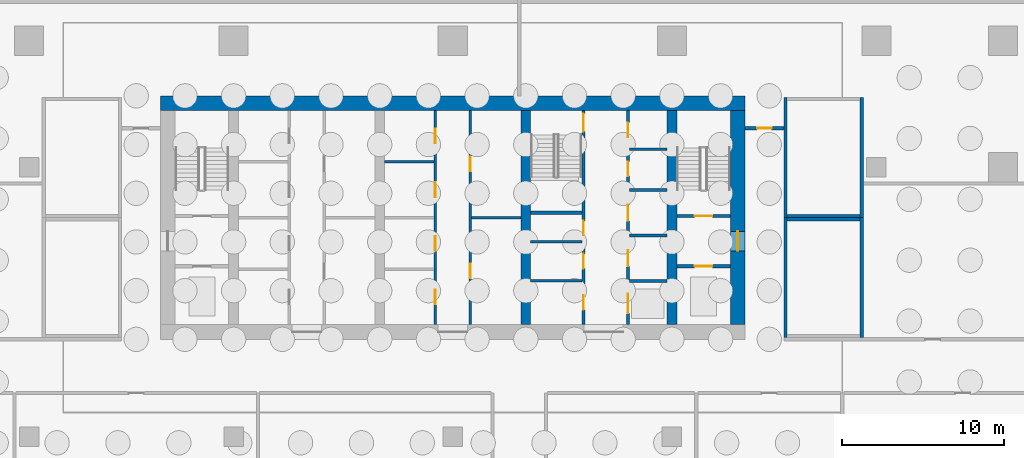
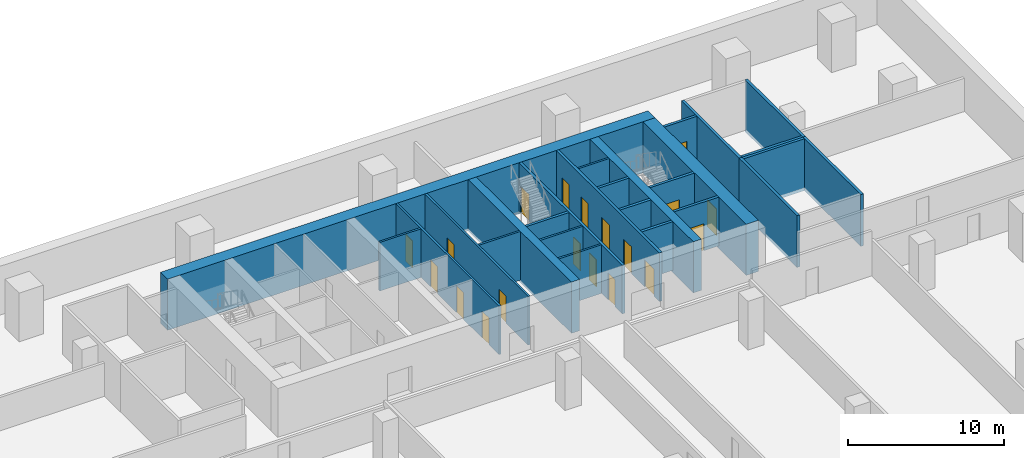
# One storey, part 6 of 10: 26 walls, 19 doors, 19 openings.
"""IFC4 building model written with IfcOpenShell, lengths in metres."""

from ifc_helpers import new_model, si_unit, direction, frame, frame_2d, origin, place, context, subcontext, project, spatial, rectangle, extrude, material, layer, layer_set, type_object, element, fill, save


model = new_model("IFC4")

# Units and contexts
model_context = context("Model", 3, precision=1e-05, world=origin(), true_north=direction((0.0, 1.0)))
body_context = subcontext(model_context, "Body", "Model", "MODEL_VIEW")
ifc_project = project(units=[si_unit("LENGTHUNIT", "METRE"), si_unit("AREAUNIT", "SQUARE_METRE"), si_unit("VOLUMEUNIT", "CUBIC_METRE"), si_unit("PLANEANGLEUNIT", "RADIAN"), si_unit("MASSUNIT", "GRAM", prefix="KILO")], contexts=[model_context])

# Site, building, storey
site_placement = place(None, origin())
site = spatial("IfcSite", under=ifc_project, at=site_placement, CompositionType="ELEMENT")
building_placement = place(site_placement, origin())
building = spatial("IfcBuilding", under=site, at=building_placement, Name="Rattan Terrace Tower", CompositionType="ELEMENT")
storey_placement = place(building_placement, frame((0.0, 0.0, -13.5)))
storey = spatial("IfcBuildingStorey", under=building, at=storey_placement, Name="B3", CompositionType="ELEMENT", Elevation=-13.5)

# Wall, openings, doors
ifc_material_1 = material(Name="Gypsum board partition")
ifc_layer_1 = layer(ifc_material_1, 0.14990234375)
ifc_layer_set_1 = layer_set([ifc_layer_1], Name="Core partition 150")
wall_type_1 = type_object("IfcWallType", Name="Core partition 150", PredefinedType="PARTITIONING", material=ifc_layer_set_1)
wall_1_placement = place(storey_placement, frame((-1.074951171875, -6.60009765625, 0.0), z_axis=(0.0, 0.0, 1.0), x_axis=(0.0, 1.0, 0.0)))
wall_1 = element("IfcWall", 1, at=wall_1_placement, inside=storey, type_object=wall_type_1, Name="Core room wall", PredefinedType="PARTITIONING", context=body_context, shape_type="SweptSolid", body=[
    extrude(rectangle(XDim=13.2001953125, YDim=0.14990234375, at=frame_2d((6.60009765625, 0.0))), origin(), (0.0, 0.0, 1.0), 3.800048828125),
])
opening_1_placement = place(wall_1_placement, frame((1.26611328125, 0.0, 0.0)))
opening_1 = element("IfcOpeningElement", 2, at=opening_1_placement, cuts=wall_1, Name="Opening B3-D012", PredefinedType="OPENING", context=body_context, shape_type="SweptSolid", body=[
    extrude(rectangle(XDim=0.89990234375, YDim=2.10009765625, at=frame_2d((0.449951171875, 1.050048828125))), frame((0.0, 0.08544921875, 0.0), z_axis=(0.0, -1.0, 0.0), x_axis=(1.0, 0.0, 0.0)), (0.0, 0.0, 1.0), 0.1708984375),
])
opening_2_placement = place(wall_1_placement, frame((4.56591796875, 0.0, 0.0)))
opening_2 = element("IfcOpeningElement", 3, at=opening_2_placement, cuts=wall_1, Name="Opening B3-D013", PredefinedType="OPENING", context=body_context, shape_type="SweptSolid", body=[
    extrude(rectangle(XDim=0.89990234375, YDim=2.10009765625, at=frame_2d((0.449951171875, 1.050048828125))), frame((0.0, 0.08544921875, 0.0), z_axis=(0.0, -1.0, 0.0), x_axis=(1.0, 0.0, 0.0)), (0.0, 0.0, 1.0), 0.1708984375),
])
opening_3_placement = place(wall_1_placement, frame((7.865966796875, 0.0, 0.0)))
opening_3 = element("IfcOpeningElement", 4, at=opening_3_placement, cuts=wall_1, Name="Opening B3-D014", PredefinedType="OPENING", context=body_context, shape_type="SweptSolid", body=[
    extrude(rectangle(XDim=0.89990234375, YDim=2.10009765625, at=frame_2d((0.449951171875, 1.050048828125))), frame((0.0, 0.08544921875, 0.0), z_axis=(0.0, -1.0, 0.0), x_axis=(1.0, 0.0, 0.0)), (0.0, 0.0, 1.0), 0.1708984375),
])
opening_4_placement = place(wall_1_placement, frame((11.166015625, 0.0, 0.0)))
opening_4 = element("IfcOpeningElement", 5, at=opening_4_placement, cuts=wall_1, Name="Opening B3-D015", PredefinedType="OPENING", context=body_context, shape_type="SweptSolid", body=[
    extrude(rectangle(XDim=0.89990234375, YDim=2.10009765625, at=frame_2d((0.449951171875, 1.050048828125))), frame((0.0, 0.08544921875, 0.0), z_axis=(0.0, -1.0, 0.0), x_axis=(1.0, 0.0, 0.0)), (0.0, 0.0, 1.0), 0.1708984375),
])
ifc_material_2 = material(Name="Hollow-metal fire door leaf")
door_type_1 = type_object("IfcDoorType", Name="Core service room door 900", OperationType="NOTDEFINED", PredefinedType="DOOR", material=ifc_material_2)
door_1_placement = place(opening_1_placement, origin())
door_1 = element("IfcDoor", 6, at=door_1_placement, inside=storey, type_object=door_type_1, Name="Door B3-D012", OperationType="SINGLE_SWING_RIGHT", OverallHeight=2.10009765625, OverallWidth=0.89990234375, PredefinedType="DOOR", context=body_context, shape_type="SweptSolid", body=[
    extrude(rectangle(XDim=0.89990234375, YDim=2.10009765625, at=frame_2d((0.449951171875, 1.050048828125))), frame((0.0, 0.02490234375, 0.0), z_axis=(0.0, -1.0, 0.0), x_axis=(1.0, 0.0, 0.0)), (0.0, 0.0, 1.0), 0.050048828125),
])
fill(opening_1, door_1)
door_2_placement = place(opening_2_placement, origin())
door_2 = element("IfcDoor", 7, at=door_2_placement, inside=storey, type_object=door_type_1, Name="Door B3-D013", OperationType="SINGLE_SWING_LEFT", OverallHeight=2.10009765625, OverallWidth=0.89990234375, PredefinedType="DOOR", context=body_context, shape_type="SweptSolid", body=[
    extrude(rectangle(XDim=0.89990234375, YDim=2.10009765625, at=frame_2d((0.449951171875, 1.050048828125))), frame((0.0, 0.02490234375, 0.0), z_axis=(0.0, -1.0, 0.0), x_axis=(1.0, 0.0, 0.0)), (0.0, 0.0, 1.0), 0.050048828125),
])
fill(opening_2, door_2)
door_3_placement = place(opening_3_placement, origin())
door_3 = element("IfcDoor", 8, at=door_3_placement, inside=storey, type_object=door_type_1, Name="Door B3-D014", OperationType="SINGLE_SWING_RIGHT", OverallHeight=2.10009765625, OverallWidth=0.89990234375, PredefinedType="DOOR", context=body_context, shape_type="SweptSolid", body=[
    extrude(rectangle(XDim=0.89990234375, YDim=2.10009765625, at=frame_2d((0.449951171875, 1.050048828125))), frame((0.0, 0.02490234375, 0.0), z_axis=(0.0, -1.0, 0.0), x_axis=(1.0, 0.0, 0.0)), (0.0, 0.0, 1.0), 0.050048828125),
])
fill(opening_3, door_3)
door_4_placement = place(opening_4_placement, origin())
door_4 = element("IfcDoor", 9, at=door_4_placement, inside=storey, type_object=door_type_1, Name="Door B3-D015", OperationType="SINGLE_SWING_LEFT", OverallHeight=2.10009765625, OverallWidth=0.89990234375, PredefinedType="DOOR", context=body_context, shape_type="SweptSolid", body=[
    extrude(rectangle(XDim=0.89990234375, YDim=2.10009765625, at=frame_2d((0.449951171875, 1.050048828125))), frame((0.0, 0.02490234375, 0.0), z_axis=(0.0, -1.0, 0.0), x_axis=(1.0, 0.0, 0.0)), (0.0, 0.0, 1.0), 0.050048828125),
])
fill(opening_4, door_4)

# Wall
wall_2_placement = place(storey_placement, frame((-4.199951171875, 3.431884765625, 0.0), z_axis=(0.0, 0.0, 1.0), x_axis=(1.0, 0.0, 0.0)))
element("IfcWall", 10, at=wall_2_placement, inside=storey, type_object=wall_type_1, Name="Core room wall", PredefinedType="PARTITIONING", context=body_context, shape_type="SweptSolid", body=[
    extrude(rectangle(XDim=3.050048828125, YDim=0.14990234375, at=frame_2d((1.52490234375, 0.0))), origin(), (0.0, 0.0, 1.0), 3.800048828125),
])

# Wall, openings, doors
wall_3_placement = place(storey_placement, frame((1.074951171875, -6.60009765625, 0.0), z_axis=(0.0, 0.0, 1.0), x_axis=(0.0, 1.0, 0.0)))
wall_3 = element("IfcWall", 11, at=wall_3_placement, inside=storey, type_object=wall_type_1, Name="Core room wall", PredefinedType="PARTITIONING", context=body_context, shape_type="SweptSolid", body=[
    extrude(rectangle(XDim=13.2001953125, YDim=0.14990234375, at=frame_2d((6.60009765625, 0.0))), origin(), (0.0, 0.0, 1.0), 3.800048828125),
])
opening_5_placement = place(wall_3_placement, frame((2.85009765625, 0.0, 0.0)))
opening_5 = element("IfcOpeningElement", 12, at=opening_5_placement, cuts=wall_3, Name="Opening B3-D016", PredefinedType="OPENING", context=body_context, shape_type="SweptSolid", body=[
    extrude(rectangle(XDim=0.89990234375, YDim=2.10009765625, at=frame_2d((0.449951171875, 1.050048828125))), frame((0.0, 0.08544921875, 0.0), z_axis=(0.0, -1.0, 0.0), x_axis=(1.0, 0.0, 0.0)), (0.0, 0.0, 1.0), 0.1708984375),
])
opening_6_placement = place(wall_3_placement, frame((9.449951171875, 0.0, 0.0)))
opening_6 = element("IfcOpeningElement", 13, at=opening_6_placement, cuts=wall_3, Name="Opening B3-D017", PredefinedType="OPENING", context=body_context, shape_type="SweptSolid", body=[
    extrude(rectangle(XDim=0.89990234375, YDim=2.10009765625, at=frame_2d((0.449951171875, 1.050048828125))), frame((0.0, 0.08544921875, 0.0), z_axis=(0.0, -1.0, 0.0), x_axis=(1.0, 0.0, 0.0)), (0.0, 0.0, 1.0), 0.1708984375),
])
door_5_placement = place(opening_5_placement, origin())
door_5 = element("IfcDoor", 14, at=door_5_placement, inside=storey, type_object=door_type_1, Name="Door B3-D016", OperationType="SINGLE_SWING_RIGHT", OverallHeight=2.10009765625, OverallWidth=0.89990234375, PredefinedType="DOOR", context=body_context, shape_type="SweptSolid", body=[
    extrude(rectangle(XDim=0.89990234375, YDim=2.10009765625, at=frame_2d((0.449951171875, 1.050048828125))), frame((0.0, 0.02490234375, 0.0), z_axis=(0.0, -1.0, 0.0), x_axis=(1.0, 0.0, 0.0)), (0.0, 0.0, 1.0), 0.050048828125),
])
fill(opening_5, door_5)
door_6_placement = place(opening_6_placement, origin())
door_6 = element("IfcDoor", 15, at=door_6_placement, inside=storey, type_object=door_type_1, Name="Door B3-D017", OperationType="SINGLE_SWING_LEFT", OverallHeight=2.10009765625, OverallWidth=0.89990234375, PredefinedType="DOOR", context=body_context, shape_type="SweptSolid", body=[
    extrude(rectangle(XDim=0.89990234375, YDim=2.10009765625, at=frame_2d((0.449951171875, 1.050048828125))), frame((0.0, 0.02490234375, 0.0), z_axis=(0.0, -1.0, 0.0), x_axis=(1.0, 0.0, 0.0)), (0.0, 0.0, 1.0), 0.050048828125),
])
fill(opening_6, door_6)

# Walls
wall_4_placement = place(storey_placement, frame((1.14990234375, 0.0, 0.0), z_axis=(0.0, 0.0, 1.0), x_axis=(1.0, 0.0, 0.0)))
element("IfcWall", 16, at=wall_4_placement, inside=storey, type_object=wall_type_1, Name="Core room wall", PredefinedType="PARTITIONING", context=body_context, shape_type="SweptSolid", body=[
    extrude(rectangle(XDim=3.050048828125, YDim=0.14990234375, at=frame_2d((1.52490234375, 0.0))), origin(), (0.0, 0.0, 1.0), 3.800048828125),
])
for number, where, z_axis, x_axis, name in (
    (17, (4.800048828125, -3.8798828125, 0.0), (0.0, 0.0, 1.0), (1.0, 0.0, 0.0), "Toilet wall"),
    (18, (4.800048828125, -1.5, 0.0), (0.0, 0.0, 1.0), (1.0, 0.0, 0.0), "Toilet wall"),
):
    element("IfcWall", number, at=place(storey_placement, frame(where, z_axis=z_axis, x_axis=x_axis)), inside=storey, type_object=wall_type_1, Name=name, PredefinedType="PARTITIONING", context=body_context, shape_type="SweptSolid", body=[
        extrude(rectangle(XDim=3.14990234375, YDim=0.14990234375, at=frame_2d((1.574951171875, 0.0))), origin(), (0.0, 0.0, 1.0), 3.800048828125),
    ])
wall_5_placement = place(storey_placement, frame((10.89990234375, 4.199951171875, 0.0), z_axis=(0.0, 0.0, 1.0), x_axis=(1.0, 0.0, 0.0)))
element("IfcWall", 19, at=wall_5_placement, inside=storey, type_object=wall_type_1, Name="Riser room wall", PredefinedType="PARTITIONING", context=body_context, shape_type="SweptSolid", body=[
    extrude(rectangle(XDim=2.300048828125, YDim=0.14990234375, at=frame_2d((1.14990234375, 0.0))), origin(), (0.0, 0.0, 1.0), 3.800048828125),
])

# Wall, opening, door
ifc_material_3 = material(Name="Gypsum board partition")
ifc_layer_2 = layer(ifc_material_3, 0.199951171875)
ifc_layer_set_2 = layer_set([ifc_layer_2], Name="Core partition 200")
wall_type_2 = type_object("IfcWallType", Name="Core partition 200", PredefinedType="PARTITIONING", material=ifc_layer_set_2)
wall_6_placement = place(storey_placement, frame((13.800048828125, -3.0, 0.0), z_axis=(0.0, 0.0, 1.0), x_axis=(1.0, 0.0, 0.0)))
wall_6 = element("IfcWall", 20, at=wall_6_placement, inside=storey, type_object=wall_type_2, Name="Fire-fighting lobby wall", PredefinedType="PARTITIONING", context=body_context, shape_type="SweptSolid", body=[
    extrude(rectangle(XDim=3.300048828125, YDim=0.199951171875, at=frame_2d((1.64990234375, 0.0))), origin(), (0.0, 0.0, 1.0), 3.800048828125),
])
opening_7_placement = place(wall_6_placement, frame((1.10009765625, 0.0, 0.0)))
opening_7 = element("IfcOpeningElement", 21, at=opening_7_placement, cuts=wall_6, Name="Opening B3-LD-FF2", PredefinedType="OPENING", context=body_context, shape_type="SweptSolid", body=[
    extrude(rectangle(XDim=1.10009765625, YDim=2.10009765625, at=frame_2d((0.550048828125, 1.050048828125))), frame((0.0, 0.110595703125, 0.0), z_axis=(0.0, -1.0, 0.0), x_axis=(1.0, 0.0, 0.0)), (0.0, 0.0, 1.0), 0.220947265625),
])
ifc_material_4 = material(Name="Brushed stainless landing door panel")
door_type_2 = type_object("IfcDoorType", Name="Core lift landing door 1100", OperationType="DOUBLE_DOOR_SLIDING", PredefinedType="DOOR", material=ifc_material_4)
door_7_placement = place(opening_7_placement, origin())
door_7 = element("IfcDoor", 22, at=door_7_placement, inside=storey, type_object=door_type_2, Name="Door B3-LD-FF2", OperationType="DOUBLE_DOOR_SLIDING", OverallHeight=2.10009765625, OverallWidth=1.10009765625, PredefinedType="DOOR", context=body_context, shape_type="SweptSolid", body=[
    extrude(rectangle(XDim=1.10009765625, YDim=2.10009765625, at=frame_2d((0.550048828125, 1.050048828125))), frame((0.0, 0.02490234375, 0.0), z_axis=(0.0, -1.0, 0.0), x_axis=(1.0, 0.0, 0.0)), (0.0, 0.0, 1.0), 0.050048828125),
])
fill(opening_7, door_7)

wall_7_placement = place(storey_placement, frame((13.800048828125, 0.10009765625, 0.0), z_axis=(0.0, 0.0, 1.0), x_axis=(1.0, 0.0, 0.0)))
wall_7 = element("IfcWall", 23, at=wall_7_placement, inside=storey, type_object=wall_type_2, Name="Stair enclosure wall", PredefinedType="PARTITIONING", context=body_context, shape_type="SweptSolid", body=[
    extrude(rectangle(XDim=3.300048828125, YDim=0.199951171875, at=frame_2d((1.64990234375, 0.0))), origin(), (0.0, 0.0, 1.0), 3.800048828125),
])
opening_8_placement = place(wall_7_placement, frame((1.10009765625, 0.0, 0.0)))
opening_8 = element("IfcOpeningElement", 24, at=opening_8_placement, cuts=wall_7, Name="Opening B3-D004", PredefinedType="OPENING", context=body_context, shape_type="SweptSolid", body=[
    extrude(rectangle(XDim=1.10009765625, YDim=2.10009765625, at=frame_2d((0.550048828125, 1.050048828125))), frame((0.0, 0.110595703125, 0.0), z_axis=(0.0, -1.0, 0.0), x_axis=(1.0, 0.0, 0.0)), (0.0, 0.0, 1.0), 0.220947265625),
])
ifc_material_5 = material(Name="Hollow-metal fire door leaf")
door_type_3 = type_object("IfcDoorType", Name="Core stair door 1100", OperationType="NOTDEFINED", PredefinedType="DOOR", material=ifc_material_5)
door_8_placement = place(opening_8_placement, origin())
door_8 = element("IfcDoor", 25, at=door_8_placement, inside=storey, type_object=door_type_3, Name="Door B3-D004", OperationType="SINGLE_SWING_RIGHT", OverallHeight=2.10009765625, OverallWidth=1.10009765625, PredefinedType="DOOR", context=body_context, shape_type="SweptSolid", body=[
    extrude(rectangle(XDim=1.10009765625, YDim=2.10009765625, at=frame_2d((0.550048828125, 1.050048828125))), frame((0.0, 0.02490234375, 0.0), z_axis=(0.0, -1.0, 0.0), x_axis=(1.0, 0.0, 0.0)), (0.0, 0.0, 1.0), 0.050048828125),
])
fill(opening_8, door_8)

# Wall, openings, doors
wall_8_placement = place(storey_placement, frame((8.050048828125, -6.60009765625, 0.0), z_axis=(0.0, 0.0, 1.0), x_axis=(0.0, 1.0, 0.0)))
wall_8 = element("IfcWall", 26, at=wall_8_placement, inside=storey, type_object=wall_type_2, Name="Lobby wall west", PredefinedType="PARTITIONING", context=body_context, shape_type="SweptSolid", body=[
    extrude(rectangle(XDim=13.2001953125, YDim=0.199951171875, at=frame_2d((6.60009765625, 0.0))), origin(), (0.0, 0.0, 1.0), 3.800048828125),
])
opening_9_placement = place(wall_8_placement, frame((0.909912109375, 0.0, 0.0)))
opening_9 = element("IfcOpeningElement", 27, at=opening_9_placement, cuts=wall_8, Name="Opening B3-D019", PredefinedType="OPENING", context=body_context, shape_type="SweptSolid", body=[
    extrude(rectangle(XDim=0.89990234375, YDim=2.10009765625, at=frame_2d((0.449951171875, 1.050048828125))), frame((0.0, 0.110595703125, 0.0), z_axis=(0.0, -1.0, 0.0), x_axis=(1.0, 0.0, 0.0)), (0.0, 0.0, 1.0), 0.220947265625),
])
opening_10_placement = place(wall_8_placement, frame((3.4599609375, 0.0, 0.0)))
opening_10 = element("IfcOpeningElement", 28, at=opening_10_placement, cuts=wall_8, Name="Opening B3-D020", PredefinedType="OPENING", context=body_context, shape_type="SweptSolid", body=[
    extrude(rectangle(XDim=0.89990234375, YDim=2.10009765625, at=frame_2d((0.449951171875, 1.050048828125))), frame((0.0, 0.110595703125, 0.0), z_axis=(0.0, -1.0, 0.0), x_axis=(1.0, 0.0, 0.0)), (0.0, 0.0, 1.0), 0.220947265625),
])
opening_11_placement = place(wall_8_placement, frame((5.5, 0.0, 0.0)))
opening_11 = element("IfcOpeningElement", 29, at=opening_11_placement, cuts=wall_8, Name="Opening B3-D021", PredefinedType="OPENING", context=body_context, shape_type="SweptSolid", body=[
    extrude(rectangle(XDim=0.89990234375, YDim=2.10009765625, at=frame_2d((0.449951171875, 1.050048828125))), frame((0.0, 0.110595703125, 0.0), z_axis=(0.0, -1.0, 0.0), x_axis=(1.0, 0.0, 0.0)), (0.0, 0.0, 1.0), 0.220947265625),
])
opening_12_placement = place(wall_8_placement, frame((11.89990234375, 0.0, 0.0)))
opening_12 = element("IfcOpeningElement", 30, at=opening_12_placement, cuts=wall_8, Name="Opening B3-D022", PredefinedType="OPENING", context=body_context, shape_type="SweptSolid", body=[
    extrude(rectangle(XDim=1.10009765625, YDim=2.10009765625, at=frame_2d((0.550048828125, 1.050048828125))), frame((0.0, 0.110595703125, 0.0), z_axis=(0.0, -1.0, 0.0), x_axis=(1.0, 0.0, 0.0)), (0.0, 0.0, 1.0), 0.220947265625),
])
door_9_placement = place(opening_11_placement, origin())
door_9 = element("IfcDoor", 31, at=door_9_placement, inside=storey, type_object=door_type_1, Name="Door B3-D021", OperationType="SINGLE_SWING_LEFT", OverallHeight=2.10009765625, OverallWidth=0.89990234375, PredefinedType="DOOR", context=body_context, shape_type="SweptSolid", body=[
    extrude(rectangle(XDim=0.89990234375, YDim=2.10009765625, at=frame_2d((0.449951171875, 1.050048828125))), frame((0.0, 0.02490234375, 0.0), z_axis=(0.0, -1.0, 0.0), x_axis=(1.0, 0.0, 0.0)), (0.0, 0.0, 1.0), 0.050048828125),
])
fill(opening_11, door_9)
door_10_placement = place(opening_12_placement, origin())
door_10 = element("IfcDoor", 32, at=door_10_placement, inside=storey, type_object=door_type_3, Name="Door B3-D022", OperationType="SINGLE_SWING_RIGHT", OverallHeight=2.10009765625, OverallWidth=1.10009765625, PredefinedType="DOOR", context=body_context, shape_type="SweptSolid", body=[
    extrude(rectangle(XDim=1.10009765625, YDim=2.10009765625, at=frame_2d((0.550048828125, 1.050048828125))), frame((0.0, 0.02490234375, 0.0), z_axis=(0.0, -1.0, 0.0), x_axis=(1.0, 0.0, 0.0)), (0.0, 0.0, 1.0), 0.050048828125),
])
fill(opening_12, door_10)
ifc_material_6 = material(Name="Hollow-metal fire door leaf")
door_type_4 = type_object("IfcDoorType", Name="Core toilet door 900", OperationType="NOTDEFINED", PredefinedType="DOOR", material=ifc_material_6)
door_11_placement = place(opening_9_placement, origin())
door_11 = element("IfcDoor", 33, at=door_11_placement, inside=storey, type_object=door_type_4, Name="Door B3-D019", OperationType="SINGLE_SWING_LEFT", OverallHeight=2.10009765625, OverallWidth=0.89990234375, PredefinedType="DOOR", context=body_context, shape_type="SweptSolid", body=[
    extrude(rectangle(XDim=0.89990234375, YDim=2.10009765625, at=frame_2d((0.449951171875, 1.050048828125))), frame((0.0, 0.02490234375, 0.0), z_axis=(0.0, -1.0, 0.0), x_axis=(1.0, 0.0, 0.0)), (0.0, 0.0, 1.0), 0.050048828125),
])
fill(opening_9, door_11)
door_12_placement = place(opening_10_placement, origin())
door_12 = element("IfcDoor", 34, at=door_12_placement, inside=storey, type_object=door_type_4, Name="Door B3-D020", OperationType="SINGLE_SWING_RIGHT", OverallHeight=2.10009765625, OverallWidth=0.89990234375, PredefinedType="DOOR", context=body_context, shape_type="SweptSolid", body=[
    extrude(rectangle(XDim=0.89990234375, YDim=2.10009765625, at=frame_2d((0.449951171875, 1.050048828125))), frame((0.0, 0.02490234375, 0.0), z_axis=(0.0, -1.0, 0.0), x_axis=(1.0, 0.0, 0.0)), (0.0, 0.0, 1.0), 0.050048828125),
])
fill(opening_10, door_12)

# Walls
wall_9_placement = place(storey_placement, frame((4.800048828125, 0.300048828125, 0.0), z_axis=(0.0, 0.0, 1.0), x_axis=(1.0, 0.0, 0.0)))
element("IfcWall", 35, at=wall_9_placement, inside=storey, type_object=wall_type_2, Name="Stair enclosure wall", PredefinedType="PARTITIONING", context=body_context, shape_type="SweptSolid", body=[
    extrude(rectangle(XDim=3.14990234375, YDim=0.199951171875, at=frame_2d((1.574951171875, 0.0))), origin(), (0.0, 0.0, 1.0), 3.800048828125),
])
ifc_material_7 = material(Name="Concrete C70/85", Category="concrete")
ifc_layer_3 = layer(ifc_material_7, 0.89990234375)
ifc_layer_set_3 = layer_set([ifc_layer_3], Name="Core ring wall 900 C70/85")
wall_type_3 = type_object("IfcWallType", Name="Core ring wall 900 C70/85", PredefinedType="SHEAR", material=ifc_layer_set_3)
wall_10_placement = place(storey_placement, frame((-18.0, 7.050048828125, -0.199951171875), z_axis=(0.0, 0.0, 1.0), x_axis=(1.0, 0.0, 0.0)))
element("IfcWall", 36, at=wall_10_placement, inside=storey, type_object=wall_type_3, Name="Rear core wall north", PredefinedType="SHEAR", context=body_context, shape_type="SweptSolid", body=[
    extrude(rectangle(XDim=36.0, YDim=0.89990234375, at=frame_2d((18.0, 0.0))), origin(), (0.0, 0.0, 1.0), 4.0),
])

# Wall, opening, door
wall_11_placement = place(storey_placement, frame((17.550048828125, -6.60009765625, -0.199951171875), z_axis=(0.0, 0.0, 1.0), x_axis=(0.0, 1.0, 0.0)))
wall_11 = element("IfcWall", 37, at=wall_11_placement, inside=storey, type_object=wall_type_3, Name="Rear core wall east", PredefinedType="SHEAR", context=body_context, shape_type="SweptSolid", body=[
    extrude(rectangle(XDim=13.2001953125, YDim=0.89990234375, at=frame_2d((6.60009765625, 0.0))), origin(), (0.0, 0.0, 1.0), 4.0),
])
opening_13_placement = place(wall_11_placement, frame((4.550048828125, 0.0, 0.199951171875)))
opening_13 = element("IfcOpeningElement", 38, at=opening_13_placement, cuts=wall_11, Name="Opening B3-D003", PredefinedType="OPENING", context=body_context, shape_type="SweptSolid", body=[
    extrude(rectangle(XDim=1.199951171875, YDim=2.10009765625, at=frame_2d((0.60009765625, 1.050048828125))), frame((0.0, 0.46044921875, 0.0), z_axis=(0.0, -1.0, 0.0), x_axis=(1.0, 0.0, 0.0)), (0.0, 0.0, 1.0), 0.9208984375),
])
ifc_material_8 = material(Name="Hollow-metal fire door leaf")
door_type_5 = type_object("IfcDoorType", Name="Core fire-fighting lobby door 1200", OperationType="NOTDEFINED", PredefinedType="DOOR", material=ifc_material_8)
door_13_placement = place(opening_13_placement, origin())
door_13 = element("IfcDoor", 39, at=door_13_placement, inside=storey, type_object=door_type_5, Name="Door B3-D003", OperationType="SINGLE_SWING_LEFT", OverallHeight=2.10009765625, OverallWidth=1.199951171875, PredefinedType="DOOR", context=body_context, shape_type="SweptSolid", body=[
    extrude(rectangle(XDim=1.199951171875, YDim=2.10009765625, at=frame_2d((0.60009765625, 1.050048828125))), frame((0.0, 0.02490234375, 0.0), z_axis=(0.0, -1.0, 0.0), x_axis=(1.0, 0.0, 0.0)), (0.0, 0.0, 1.0), 0.050048828125),
])
fill(opening_13, door_13)

# Walls
ifc_material_9 = material(Name="Concrete C70/85", Category="concrete")
ifc_layer_4 = layer(ifc_material_9, 0.60009765625)
ifc_layer_set_4 = layer_set([ifc_layer_4], Name="Core spine wall 600 C70/85")
wall_type_4 = type_object("IfcWallType", Name="Core spine wall 600 C70/85", PredefinedType="SHEAR", material=ifc_layer_set_4)
for number, where, z_axis, x_axis, name in (
    (40, (4.5, -6.60009765625, -0.199951171875), (0.0, 0.0, 1.0), (0.0, 1.0, 0.0), "Core spine wall 3"),
    (41, (13.5, -6.60009765625, -0.199951171875), (0.0, 0.0, 1.0), (0.0, 1.0, 0.0), "Core spine wall 4"),
):
    element("IfcWall", number, at=place(storey_placement, frame(where, z_axis=z_axis, x_axis=x_axis)), inside=storey, type_object=wall_type_4, Name=name, PredefinedType="SHEAR", context=body_context, shape_type="SweptSolid", body=[
        extrude(rectangle(XDim=13.2001953125, YDim=0.60009765625, at=frame_2d((6.60009765625, 0.0))), origin(), (0.0, 0.0, 1.0), 4.0),
    ])

# Wall, opening, door
ifc_material_10 = material(Name="Concrete block wall, plastered", Category="concrete")
ifc_layer_5 = layer(ifc_material_10, 0.199951171875)
ifc_layer_set_5 = layer_set([ifc_layer_5], Name="Floors Plant Wall 200")
wall_type_5 = type_object("IfcWallType", Name="Floors Plant Wall 200", PredefinedType="PARTITIONING", material=ifc_layer_set_5)
wall_12_placement = place(storey_placement, frame((18.0, 5.5, 0.0), z_axis=(0.0, 0.0, 1.0), x_axis=(1.0, 0.0, 0.0)))
wall_12 = element("IfcWall", 42, at=wall_12_placement, inside=storey, type_object=wall_type_5, Name="pt-B3-012", PredefinedType="PARTITIONING", context=body_context, shape_type="SweptSolid", body=[
    extrude(rectangle(XDim=2.39990234375, YDim=0.199951171875, at=frame_2d((1.199951171875, 0.0))), origin(), (0.0, 0.0, 1.0), 3.800048828125),
])
opening_14_placement = place(wall_12_placement, frame((0.75, 0.0, 0.0)))
opening_14 = element("IfcOpeningElement", 43, at=opening_14_placement, cuts=wall_12, Name="Opening B3-D109", PredefinedType="OPENING", context=body_context, shape_type="SweptSolid", body=[
    extrude(rectangle(XDim=0.89990234375, YDim=2.10009765625, at=frame_2d((0.449951171875, 1.050048828125))), frame((0.0, 0.110595703125, 0.0), z_axis=(0.0, -1.0, 0.0), x_axis=(1.0, 0.0, 0.0)), (0.0, 0.0, 1.0), 0.220947265625),
])
ifc_material_11 = material(Name="Steel fire door set", Category="steel")
door_type_6 = type_object("IfcDoorType", Name="Floors Fire Door FD60 900x2100", OperationType="NOTDEFINED", PredefinedType="DOOR", material=ifc_material_11)
door_14_placement = place(opening_14_placement, origin())
door_14 = element("IfcDoor", 44, at=door_14_placement, inside=storey, type_object=door_type_6, Name="d-B3-109", OperationType="SINGLE_SWING_RIGHT", OverallHeight=2.10009765625, OverallWidth=0.89990234375, PredefinedType="DOOR", context=body_context, shape_type="SweptSolid", body=[
    extrude(rectangle(XDim=0.89990234375, YDim=2.10009765625, at=frame_2d((0.449951171875, 1.050048828125))), frame((0.0, 0.02490234375, 0.0), z_axis=(0.0, -1.0, 0.0), x_axis=(1.0, 0.0, 0.0)), (0.0, 0.0, 1.0), 0.050048828125),
])
fill(opening_14, door_14)

# Wall, openings, doors
ifc_material_12 = material(Name="Gypsum shaft wall system")
ifc_layer_6 = layer(ifc_material_12, 0.199951171875)
ifc_layer_set_6 = layer_set([ifc_layer_6], Name="Lift shaft wall 200")
wall_type_6 = type_object("IfcWallType", Name="Lift shaft wall 200", PredefinedType="PARTITIONING", material=ifc_layer_set_6)
wall_13_placement = place(storey_placement, frame((10.800048828125, -6.60009765625, 0.0), z_axis=(0.0, 0.0, 1.0), x_axis=(0.0, 1.0, 0.0)))
wall_13 = element("IfcWall", 45, at=wall_13_placement, inside=storey, type_object=wall_type_6, Name="Lift shaft front wall", PredefinedType="PARTITIONING", context=body_context, shape_type="SweptSolid", body=[
    extrude(rectangle(XDim=13.2001953125, YDim=0.199951171875, at=frame_2d((6.60009765625, 0.0))), origin(), (0.0, 0.0, 1.0), 3.800048828125),
])
opening_15_placement = place(wall_13_placement, frame((0.699951171875, 0.0, 0.0)))
opening_15 = element("IfcOpeningElement", 46, at=opening_15_placement, cuts=wall_13, Name="Opening B3-LD-SV1", PredefinedType="OPENING", context=body_context, shape_type="SweptSolid", body=[
    extrude(rectangle(XDim=1.199951171875, YDim=2.10009765625, at=frame_2d((0.60009765625, 1.050048828125))), frame((0.0, 0.110595703125, 0.0), z_axis=(0.0, -1.0, 0.0), x_axis=(1.0, 0.0, 0.0)), (0.0, 0.0, 1.0), 0.220947265625),
])
opening_16_placement = place(wall_13_placement, frame((3.60009765625, 0.0, 0.0)))
opening_16 = element("IfcOpeningElement", 47, at=opening_16_placement, cuts=wall_13, Name="Opening B3-D024", PredefinedType="OPENING", context=body_context, shape_type="SweptSolid", body=[
    extrude(rectangle(XDim=1.0, YDim=2.10009765625, at=frame_2d((0.5, 1.050048828125))), frame((0.0, 0.110595703125, 0.0), z_axis=(0.0, -1.0, 0.0), x_axis=(1.0, 0.0, 0.0)), (0.0, 0.0, 1.0), 0.220947265625),
])
opening_17_placement = place(wall_13_placement, frame((6.39990234375, 0.0, 0.0)))
opening_17 = element("IfcOpeningElement", 48, at=opening_17_placement, cuts=wall_13, Name="Opening B3-D025", PredefinedType="OPENING", context=body_context, shape_type="SweptSolid", body=[
    extrude(rectangle(XDim=1.0, YDim=2.10009765625, at=frame_2d((0.5, 1.050048828125))), frame((0.0, 0.110595703125, 0.0), z_axis=(0.0, -1.0, 0.0), x_axis=(1.0, 0.0, 0.0)), (0.0, 0.0, 1.0), 0.220947265625),
])
opening_18_placement = place(wall_13_placement, frame((9.14990234375, 0.0, 0.0)))
opening_18 = element("IfcOpeningElement", 49, at=opening_18_placement, cuts=wall_13, Name="Opening B3-D026", PredefinedType="OPENING", context=body_context, shape_type="SweptSolid", body=[
    extrude(rectangle(XDim=0.89990234375, YDim=2.10009765625, at=frame_2d((0.449951171875, 1.050048828125))), frame((0.0, 0.110595703125, 0.0), z_axis=(0.0, -1.0, 0.0), x_axis=(1.0, 0.0, 0.0)), (0.0, 0.0, 1.0), 0.220947265625),
])
opening_19_placement = place(wall_13_placement, frame((11.550048828125, 0.0, 0.0)))
opening_19 = element("IfcOpeningElement", 50, at=opening_19_placement, cuts=wall_13, Name="Opening B3-D027", PredefinedType="OPENING", context=body_context, shape_type="SweptSolid", body=[
    extrude(rectangle(XDim=0.89990234375, YDim=2.10009765625, at=frame_2d((0.449951171875, 1.050048828125))), frame((0.0, 0.110595703125, 0.0), z_axis=(0.0, -1.0, 0.0), x_axis=(1.0, 0.0, 0.0)), (0.0, 0.0, 1.0), 0.220947265625),
])
ifc_material_13 = material(Name="Brushed stainless landing door panel")
door_type_7 = type_object("IfcDoorType", Name="Core lift landing door 1200", OperationType="DOUBLE_DOOR_SLIDING", PredefinedType="DOOR", material=ifc_material_13)
door_15_placement = place(opening_15_placement, origin())
door_15 = element("IfcDoor", 51, at=door_15_placement, inside=storey, type_object=door_type_7, Name="Door B3-LD-SV1", OperationType="DOUBLE_DOOR_SLIDING", OverallHeight=2.10009765625, OverallWidth=1.199951171875, PredefinedType="DOOR", context=body_context, shape_type="SweptSolid", body=[
    extrude(rectangle(XDim=1.199951171875, YDim=2.10009765625, at=frame_2d((0.60009765625, 1.050048828125))), frame((0.0, 0.02490234375, 0.0), z_axis=(0.0, -1.0, 0.0), x_axis=(1.0, 0.0, 0.0)), (0.0, 0.0, 1.0), 0.050048828125),
])
fill(opening_15, door_15)
ifc_material_14 = material(Name="Hollow-metal fire door leaf")
door_type_8 = type_object("IfcDoorType", Name="Core riser door 900", OperationType="NOTDEFINED", PredefinedType="DOOR", material=ifc_material_14)
door_16_placement = place(opening_18_placement, origin())
door_16 = element("IfcDoor", 52, at=door_16_placement, inside=storey, type_object=door_type_8, Name="Door B3-D026", OperationType="SINGLE_SWING_LEFT", OverallHeight=2.10009765625, OverallWidth=0.89990234375, PredefinedType="DOOR", context=body_context, shape_type="SweptSolid", body=[
    extrude(rectangle(XDim=0.89990234375, YDim=2.10009765625, at=frame_2d((0.449951171875, 1.050048828125))), frame((0.0, 0.02490234375, 0.0), z_axis=(0.0, -1.0, 0.0), x_axis=(1.0, 0.0, 0.0)), (0.0, 0.0, 1.0), 0.050048828125),
])
fill(opening_18, door_16)
door_17_placement = place(opening_19_placement, origin())
door_17 = element("IfcDoor", 53, at=door_17_placement, inside=storey, type_object=door_type_8, Name="Door B3-D027", OperationType="SINGLE_SWING_RIGHT", OverallHeight=2.10009765625, OverallWidth=0.89990234375, PredefinedType="DOOR", context=body_context, shape_type="SweptSolid", body=[
    extrude(rectangle(XDim=0.89990234375, YDim=2.10009765625, at=frame_2d((0.449951171875, 1.050048828125))), frame((0.0, 0.02490234375, 0.0), z_axis=(0.0, -1.0, 0.0), x_axis=(1.0, 0.0, 0.0)), (0.0, 0.0, 1.0), 0.050048828125),
])
fill(opening_19, door_17)
ifc_material_15 = material(Name="Hollow-metal fire door leaf")
door_type_9 = type_object("IfcDoorType", Name="Core service room door 1000", OperationType="NOTDEFINED", PredefinedType="DOOR", material=ifc_material_15)
door_18_placement = place(opening_16_placement, origin())
door_18 = element("IfcDoor", 54, at=door_18_placement, inside=storey, type_object=door_type_9, Name="Door B3-D024", OperationType="SINGLE_SWING_LEFT", OverallHeight=2.10009765625, OverallWidth=1.0, PredefinedType="DOOR", context=body_context, shape_type="SweptSolid", body=[
    extrude(rectangle(XDim=1.0, YDim=2.10009765625, at=frame_2d((0.5, 1.050048828125))), frame((0.0, 0.02490234375, 0.0), z_axis=(0.0, -1.0, 0.0), x_axis=(1.0, 0.0, 0.0)), (0.0, 0.0, 1.0), 0.050048828125),
])
fill(opening_16, door_18)
door_19_placement = place(opening_17_placement, origin())
door_19 = element("IfcDoor", 55, at=door_19_placement, inside=storey, type_object=door_type_9, Name="Door B3-D025", OperationType="SINGLE_SWING_RIGHT", OverallHeight=2.10009765625, OverallWidth=1.0, PredefinedType="DOOR", context=body_context, shape_type="SweptSolid", body=[
    extrude(rectangle(XDim=1.0, YDim=2.10009765625, at=frame_2d((0.5, 1.050048828125))), frame((0.0, 0.02490234375, 0.0), z_axis=(0.0, -1.0, 0.0), x_axis=(1.0, 0.0, 0.0)), (0.0, 0.0, 1.0), 0.050048828125),
])
fill(opening_17, door_19)

# Walls
for number, where, z_axis, x_axis, name in (
    (56, (10.89990234375, -3.89990234375, 0.0), (0.0, 0.0, 1.0), (1.0, 0.0, 0.0), "Lift shaft wall"),
    (57, (10.89990234375, -1.10009765625, 0.0), (0.0, 0.0, 1.0), (1.0, 0.0, 0.0), "Lift shaft wall"),
    (58, (10.89990234375, 1.699951171875, 0.0), (0.0, 0.0, 1.0), (1.0, 0.0, 0.0), "Lift shaft wall"),
):
    element("IfcWall", number, at=place(storey_placement, frame(where, z_axis=z_axis, x_axis=x_axis)), inside=storey, type_object=wall_type_6, Name=name, PredefinedType="PARTITIONING", context=body_context, shape_type="SweptSolid", body=[
        extrude(rectangle(XDim=2.300048828125, YDim=0.199951171875, at=frame_2d((1.14990234375, 0.0))), origin(), (0.0, 0.0, 1.0), 3.800048828125),
    ])
ifc_material_16 = material(Name="Concrete C40/50", Category="concrete")
ifc_layer_7 = layer(ifc_material_16, 0.199951171875)
ifc_layer_set_7 = layer_set([ifc_layer_7], Name="Podium exit stair shaft wall 200")
wall_type_7 = type_object("IfcWallType", Name="Podium exit stair shaft wall 200", PredefinedType="SHEAR", material=ifc_layer_set_7)
for number, where, z_axis, x_axis, name in (
    (59, (20.5, -7.39990234375, -0.25), (0.0, 0.0, 1.0), (0.0, 1.0, 0.0), "B3 stair S6 shaft wall"),
    (60, (25.199951171875, -7.39990234375, -0.25), (0.0, 0.0, 1.0), (0.0, 1.0, 0.0), "B3 stair S6 shaft wall"),
):
    element("IfcWall", number, at=place(storey_placement, frame(where, z_axis=z_axis, x_axis=x_axis)), inside=storey, type_object=wall_type_7, Name=name, PredefinedType="SHEAR", context=body_context, shape_type="SweptSolid", body=[
        extrude(rectangle(XDim=7.39990234375, YDim=0.199951171875, at=frame_2d((3.699951171875, 0.0))), origin(), (0.0, 0.0, 1.0), 4.050048828125),
    ])
wall_14_placement = place(storey_placement, frame((20.60009765625, -0.10009765625, -0.25), z_axis=(0.0, 0.0, 1.0), x_axis=(1.0, 0.0, 0.0)))
element("IfcWall", 61, at=wall_14_placement, inside=storey, type_object=wall_type_7, Name="B3 stair S6 shaft wall", PredefinedType="SHEAR", context=body_context, shape_type="SweptSolid", body=[
    extrude(rectangle(XDim=4.5, YDim=0.199951171875, at=frame_2d((2.25, 0.0))), origin(), (0.0, 0.0, 1.0), 4.050048828125),
])
for number, where, z_axis, x_axis, name in (
    (62, (20.5, 0.0, -0.25), (0.0, 0.0, 1.0), (0.0, 1.0, 0.0), "B3 stair S7 shaft wall"),
    (63, (25.199951171875, 0.0, -0.25), (0.0, 0.0, 1.0), (0.0, 1.0, 0.0), "B3 stair S7 shaft wall"),
):
    element("IfcWall", number, at=place(storey_placement, frame(where, z_axis=z_axis, x_axis=x_axis)), inside=storey, type_object=wall_type_7, Name=name, PredefinedType="SHEAR", context=body_context, shape_type="SweptSolid", body=[
        extrude(rectangle(XDim=7.39990234375, YDim=0.199951171875, at=frame_2d((3.699951171875, 0.0))), origin(), (0.0, 0.0, 1.0), 4.050048828125),
    ])
wall_15_placement = place(storey_placement, frame((20.60009765625, 0.10009765625, -0.25), z_axis=(0.0, 0.0, 1.0), x_axis=(1.0, 0.0, 0.0)))
element("IfcWall", 64, at=wall_15_placement, inside=storey, type_object=wall_type_7, Name="B3 stair S7 shaft wall", PredefinedType="SHEAR", context=body_context, shape_type="SweptSolid", body=[
    extrude(rectangle(XDim=4.5, YDim=0.199951171875, at=frame_2d((2.25, 0.0))), origin(), (0.0, 0.0, 1.0), 4.050048828125),
])

save(model, "model.ifc")
